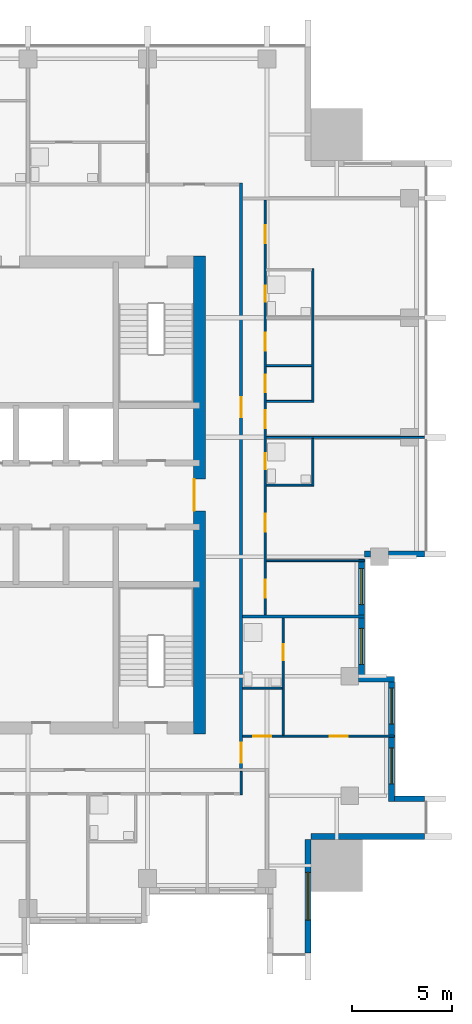
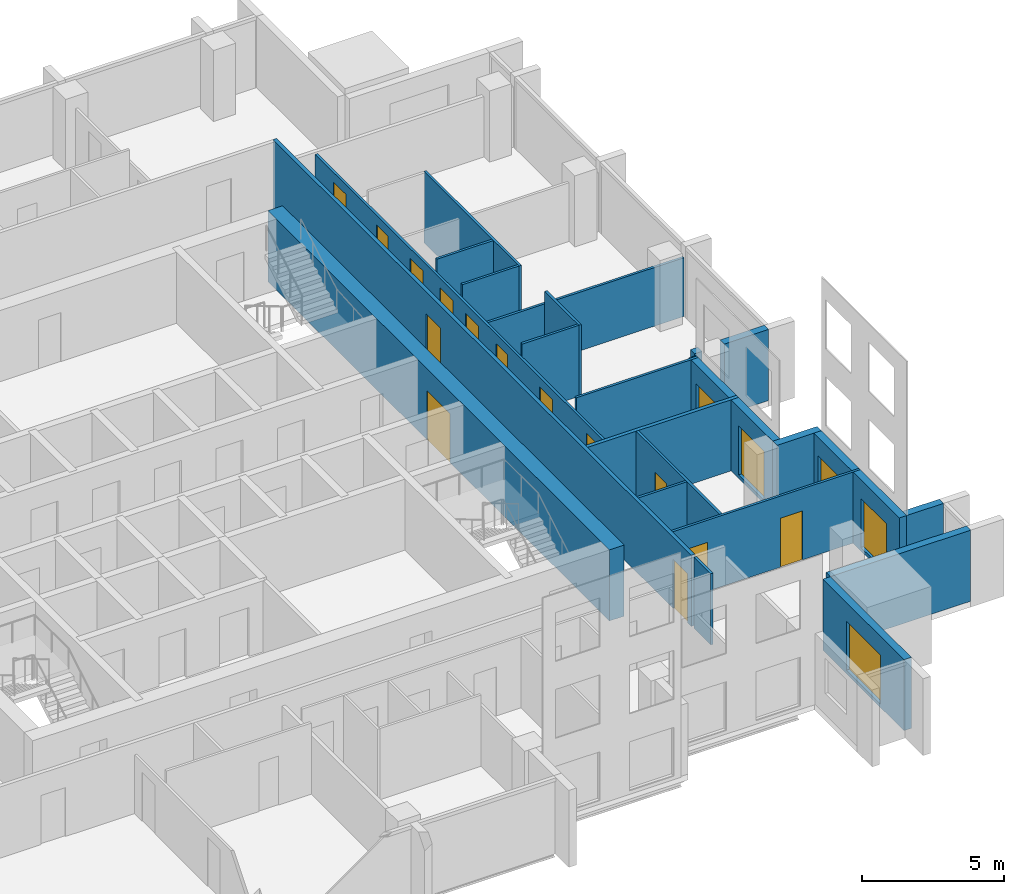
# One storey, part 6 of 11: 23 walls, 14 doors, 5 windows, 19 openings.
"""IFC4 building model written with IfcOpenShell, lengths in metres."""

from ifc_helpers import new_model, si_unit, direction, frame, frame_2d, origin, place, context, subcontext, project, spatial, rectangle, extrude, material, layer, layer_set, type_object, element, fill, save


model = new_model("IFC4")

# Units and contexts
model_context = context("Model", 3, precision=1e-05, world=origin(), true_north=direction((0.0, 1.0)))
body_context = subcontext(model_context, "Body", "Model", "MODEL_VIEW")
ifc_project = project(units=[si_unit("LENGTHUNIT", "METRE"), si_unit("AREAUNIT", "SQUARE_METRE"), si_unit("VOLUMEUNIT", "CUBIC_METRE"), si_unit("PLANEANGLEUNIT", "RADIAN"), si_unit("MASSUNIT", "GRAM", prefix="KILO")], contexts=[model_context])

# Site, building, storey
site_placement = place(None, origin())
site = spatial("IfcSite", under=ifc_project, at=site_placement, CompositionType="ELEMENT")
building_placement = place(site_placement, origin())
building = spatial("IfcBuilding", under=site, at=building_placement, Name="Amberfall Residences", CompositionType="ELEMENT")
storey_placement = place(building_placement, frame((0.0, 0.0, 196.89990234375)))
storey = spatial("IfcBuildingStorey", under=building, at=storey_placement, Name="L52", CompositionType="ELEMENT", Elevation=196.89990234375)

# Wall, opening, window
ifc_material_1 = material(Name="Pale stone cladding on insulated backing", Category="masonry")
ifc_layer_1 = layer(ifc_material_1, 0.300048828125)
ifc_layer_set_1 = layer_set([ifc_layer_1], Name="Bronze clad wall 300")
wall_type_1 = type_object("IfcWallType", Name="Bronze clad wall 300", PredefinedType="SOLIDWALL", material=ifc_layer_set_1)
wall_1_placement = place(storey_placement, frame((91.64990234375, 22.5, 0.0), z_axis=(0.0, 0.0, 1.0), x_axis=(0.0, 1.0, 0.0)))
wall_1 = element("IfcWall", 1, at=wall_1_placement, inside=storey, type_object=wall_type_1, Name="External wall L52 SE", PredefinedType="SOLIDWALL", context=body_context, shape_type="SweptSolid", body=[
    extrude(rectangle(XDim=5.699951171875, YDim=0.300048828125, at=frame_2d((2.85009765625, 0.0))), origin(), (0.0, 0.0, 1.0), 3.050048828125),
])
opening_1_placement = place(wall_1_placement, frame((1.64990234375, 0.0, 0.14990234375)))
opening_1 = element("IfcOpeningElement", 2, at=opening_1_placement, cuts=wall_1, Name="Opening WN5", PredefinedType="OPENING", context=body_context, shape_type="SweptSolid", body=[
    extrude(rectangle(XDim=2.39990234375, YDim=2.10009765625, at=frame_2d((1.199951171875, 1.050048828125))), frame((0.0, 0.159912109375, 0.0), z_axis=(0.0, -1.0, 0.0), x_axis=(1.0, 0.0, 0.0)), (0.0, 0.0, 1.0), 0.320068359375),
])
ifc_material_2 = material(Name="Bronze aluminium framed glazing", Category="aluminium")
window_type_1 = type_object("IfcWindowType", Name="Glazed opening 2400 x 2100 bronze", PartitioningType="DOUBLE_PANEL_VERTICAL", PredefinedType="WINDOW", material=ifc_material_2)
window_1_placement = place(opening_1_placement, origin())
window_1 = element("IfcWindow", 3, at=window_1_placement, inside=storey, type_object=window_type_1, Name="Window L52 SE", OverallHeight=2.10009765625, OverallWidth=2.39990234375, PartitioningType="DOUBLE_PANEL_VERTICAL", PredefinedType="WINDOW", context=body_context, shape_type="SweptSolid", body=[
    extrude(rectangle(XDim=2.39990234375, YDim=2.10009765625, at=frame_2d((1.199951171875, 1.050048828125))), frame((0.0, 0.030029296875, 0.0), z_axis=(0.0, -1.0, 0.0), x_axis=(1.0, 0.0, 0.0)), (0.0, 0.0, 1.0), 0.06005859375),
])
fill(opening_1, window_1)

# Walls
wall_2_placement = place(storey_placement, frame((91.800048828125, 28.35009765625, 0.0), z_axis=(0.0, 0.0, 1.0), x_axis=(1.0, 0.0, 0.0)))
element("IfcWall", 4, at=wall_2_placement, inside=storey, type_object=wall_type_1, Name="External wall L52 SE", PredefinedType="SOLIDWALL", context=body_context, shape_type="SweptSolid", body=[
    extrude(rectangle(XDim=5.699951171875, YDim=0.300048828125, at=frame_2d((2.85009765625, 0.0))), origin(), (0.0, 0.0, 1.0), 3.050048828125),
])
wall_3_placement = place(storey_placement, frame((97.5, 30.25, 0.0), z_axis=(0.0, 0.0, 1.0), x_axis=(-1.0, 0.0, 0.0)))
element("IfcWall", 5, at=wall_3_placement, inside=storey, type_object=wall_type_1, Name="External wall L52 E", PredefinedType="SOLIDWALL", context=body_context, shape_type="SweptSolid", body=[
    extrude(rectangle(XDim=1.5, YDim=0.300048828125, at=frame_2d((0.75, 0.0))), origin(), (0.0, 0.0, 1.0), 3.050048828125),
])
wall_4_placement = place(storey_placement, frame((96.0, 36.25, 0.0), z_axis=(0.0, 0.0, 1.0), x_axis=(-1.0, 0.0, 0.0)))
element("IfcWall", 6, at=wall_4_placement, inside=storey, type_object=wall_type_1, Name="External wall L52 E", PredefinedType="SOLIDWALL", context=body_context, shape_type="SweptSolid", body=[
    extrude(rectangle(XDim=1.800048828125, YDim=0.300048828125, at=frame_2d((0.89990234375, 0.0))), origin(), (0.0, 0.0, 1.0), 3.050048828125),
])
wall_5_placement = place(storey_placement, frame((94.5, 42.550048828125, 0.0), z_axis=(0.0, 0.0, 1.0), x_axis=(1.0, 0.0, 0.0)))
element("IfcWall", 7, at=wall_5_placement, inside=storey, type_object=wall_type_1, Name="External wall L52 E", PredefinedType="SOLIDWALL", context=body_context, shape_type="SweptSolid", body=[
    extrude(rectangle(XDim=0.300048828125, YDim=0.300048828125, at=frame_2d((0.14990234375, 0.0))), origin(), (0.0, 0.0, 1.0), 3.050048828125),
])
wall_6_placement = place(storey_placement, frame((95.699951171875, 42.550048828125, 0.0), z_axis=(0.0, 0.0, 1.0), x_axis=(1.0, 0.0, 0.0)))
element("IfcWall", 8, at=wall_6_placement, inside=storey, type_object=wall_type_1, Name="External wall L52 E", PredefinedType="SOLIDWALL", context=body_context, shape_type="SweptSolid", body=[
    extrude(rectangle(XDim=1.800048828125, YDim=0.300048828125, at=frame_2d((0.89990234375, 0.0))), origin(), (0.0, 0.0, 1.0), 3.050048828125),
])

# Wall, openings, windows
wall_7_placement = place(storey_placement, frame((95.85009765625, 30.10009765625, 0.0), z_axis=(0.0, 0.0, 1.0), x_axis=(0.0, 1.0, 0.0)))
wall_7 = element("IfcWall", 9, at=wall_7_placement, inside=storey, type_object=wall_type_1, Name="Stone wall L52 E", PredefinedType="SOLIDWALL", context=body_context, shape_type="SweptSolid", body=[
    extrude(rectangle(XDim=6.0, YDim=0.300048828125, at=frame_2d((3.0, 0.0))), origin(), (0.0, 0.0, 1.0), 3.050048828125),
])
opening_2_placement = place(wall_7_placement, frame((0.89990234375, 0.0, 0.14990234375)))
opening_2 = element("IfcOpeningElement", 10, at=opening_2_placement, cuts=wall_7, Name="Opening WN6", PredefinedType="OPENING", context=body_context, shape_type="SweptSolid", body=[
    extrude(rectangle(XDim=1.800048828125, YDim=2.10009765625, at=frame_2d((0.89990234375, 1.050048828125))), frame((0.0, 0.159912109375, 0.0), z_axis=(0.0, -1.0, 0.0), x_axis=(1.0, 0.0, 0.0)), (0.0, 0.0, 1.0), 0.320068359375),
])
opening_3_placement = place(wall_7_placement, frame((3.89990234375, 0.0, 0.14990234375)))
opening_3 = element("IfcOpeningElement", 11, at=opening_3_placement, cuts=wall_7, Name="Opening WN6", PredefinedType="OPENING", context=body_context, shape_type="SweptSolid", body=[
    extrude(rectangle(XDim=1.800048828125, YDim=2.10009765625, at=frame_2d((0.89990234375, 1.050048828125))), frame((0.0, 0.159912109375, 0.0), z_axis=(0.0, -1.0, 0.0), x_axis=(1.0, 0.0, 0.0)), (0.0, 0.0, 1.0), 0.320068359375),
])
window_type_2 = type_object("IfcWindowType", Name="Glazed opening 1800 x 2100 bronze", PartitioningType="DOUBLE_PANEL_VERTICAL", PredefinedType="WINDOW", material=ifc_material_2)
window_2_placement = place(opening_2_placement, origin())
window_2 = element("IfcWindow", 12, at=window_2_placement, inside=storey, type_object=window_type_2, Name="Window L52 E", OverallHeight=2.10009765625, OverallWidth=1.800048828125, PartitioningType="DOUBLE_PANEL_VERTICAL", PredefinedType="WINDOW", context=body_context, shape_type="SweptSolid", body=[
    extrude(rectangle(XDim=1.800048828125, YDim=2.10009765625, at=frame_2d((0.89990234375, 1.050048828125))), frame((0.0, 0.030029296875, 0.0), z_axis=(0.0, -1.0, 0.0), x_axis=(1.0, 0.0, 0.0)), (0.0, 0.0, 1.0), 0.06005859375),
])
fill(opening_2, window_2)
window_3_placement = place(opening_3_placement, origin())
window_3 = element("IfcWindow", 13, at=window_3_placement, inside=storey, type_object=window_type_2, Name="Window L52 E", OverallHeight=2.10009765625, OverallWidth=1.800048828125, PartitioningType="DOUBLE_PANEL_VERTICAL", PredefinedType="WINDOW", context=body_context, shape_type="SweptSolid", body=[
    extrude(rectangle(XDim=1.800048828125, YDim=2.10009765625, at=frame_2d((0.89990234375, 1.050048828125))), frame((0.0, 0.030029296875, 0.0), z_axis=(0.0, -1.0, 0.0), x_axis=(1.0, 0.0, 0.0)), (0.0, 0.0, 1.0), 0.06005859375),
])
fill(opening_3, window_3)

wall_8_placement = place(storey_placement, frame((94.35009765625, 36.39990234375, 0.0), z_axis=(0.0, 0.0, 1.0), x_axis=(0.0, 1.0, 0.0)))
wall_8 = element("IfcWall", 14, at=wall_8_placement, inside=storey, type_object=wall_type_1, Name="Stone wall L52 E", PredefinedType="SOLIDWALL", context=body_context, shape_type="SweptSolid", body=[
    extrude(rectangle(XDim=5.900146484375, YDim=0.300048828125, at=frame_2d((2.9501953125, 0.0))), origin(), (0.0, 0.0, 1.0), 3.050048828125),
])
opening_4_placement = place(wall_8_placement, frame((0.60009765625, 0.0, 0.14990234375)))
opening_4 = element("IfcOpeningElement", 15, at=opening_4_placement, cuts=wall_8, Name="Opening WN6", PredefinedType="OPENING", context=body_context, shape_type="SweptSolid", body=[
    extrude(rectangle(XDim=1.800048828125, YDim=2.10009765625, at=frame_2d((0.89990234375, 1.050048828125))), frame((0.0, 0.159912109375, 0.0), z_axis=(0.0, -1.0, 0.0), x_axis=(1.0, 0.0, 0.0)), (0.0, 0.0, 1.0), 0.320068359375),
])
opening_5_placement = place(wall_8_placement, frame((3.60009765625, 0.0, 0.14990234375)))
opening_5 = element("IfcOpeningElement", 16, at=opening_5_placement, cuts=wall_8, Name="Opening WN6", PredefinedType="OPENING", context=body_context, shape_type="SweptSolid", body=[
    extrude(rectangle(XDim=1.800048828125, YDim=2.10009765625, at=frame_2d((0.89990234375, 1.050048828125))), frame((0.0, 0.159912109375, 0.0), z_axis=(0.0, -1.0, 0.0), x_axis=(1.0, 0.0, 0.0)), (0.0, 0.0, 1.0), 0.320068359375),
])
window_4_placement = place(opening_4_placement, origin())
window_4 = element("IfcWindow", 17, at=window_4_placement, inside=storey, type_object=window_type_2, Name="Window L52 E", OverallHeight=2.10009765625, OverallWidth=1.800048828125, PartitioningType="DOUBLE_PANEL_VERTICAL", PredefinedType="WINDOW", context=body_context, shape_type="SweptSolid", body=[
    extrude(rectangle(XDim=1.800048828125, YDim=2.10009765625, at=frame_2d((0.89990234375, 1.050048828125))), frame((0.0, 0.030029296875, 0.0), z_axis=(0.0, -1.0, 0.0), x_axis=(1.0, 0.0, 0.0)), (0.0, 0.0, 1.0), 0.06005859375),
])
fill(opening_4, window_4)
window_5_placement = place(opening_5_placement, origin())
window_5 = element("IfcWindow", 18, at=window_5_placement, inside=storey, type_object=window_type_2, Name="Window L52 E", OverallHeight=2.10009765625, OverallWidth=1.800048828125, PartitioningType="DOUBLE_PANEL_VERTICAL", PredefinedType="WINDOW", context=body_context, shape_type="SweptSolid", body=[
    extrude(rectangle(XDim=1.800048828125, YDim=2.10009765625, at=frame_2d((0.89990234375, 1.050048828125))), frame((0.0, 0.030029296875, 0.0), z_axis=(0.0, -1.0, 0.0), x_axis=(1.0, 0.0, 0.0)), (0.0, 0.0, 1.0), 0.06005859375),
])
fill(opening_5, window_5)

# Wall, opening, door
ifc_material_3 = material(Name="Concrete C55", Category="concrete")
ifc_layer_2 = layer(ifc_material_3, 0.60009765625)
ifc_layer_set_2 = layer_set([ifc_layer_2], Name="Core wall 600 C55")
wall_type_2 = type_object("IfcWallType", Name="Core wall 600 C55", PredefinedType="SHEAR", material=ifc_layer_set_2)
wall_9_placement = place(storey_placement, frame((86.199951171875, 33.5, 0.0), z_axis=(0.0, 0.0, 1.0), x_axis=(0.0, 1.0, 0.0)))
wall_9 = element("IfcWall", 19, at=wall_9_placement, inside=storey, type_object=wall_type_2, Name="Core wall RW7 L52 OE", PredefinedType="SHEAR", context=body_context, shape_type="SweptSolid", body=[
    extrude(rectangle(XDim=24.0, YDim=0.60009765625, at=frame_2d((12.0, 0.0))), origin(), (0.0, 0.0, 1.0), 3.050048828125),
])
opening_6_placement = place(wall_9_placement, frame((11.199951171875, 0.0, 0.0)))
opening_6 = element("IfcOpeningElement", 20, at=opening_6_placement, cuts=wall_9, Name="Opening LB1", PredefinedType="OPENING", context=body_context, shape_type="SweptSolid", body=[
    extrude(rectangle(XDim=1.60009765625, YDim=2.10009765625, at=frame_2d((0.800048828125, 1.050048828125))), frame((0.0, 0.31005859375, 0.0), z_axis=(0.0, -1.0, 0.0), x_axis=(1.0, 0.0, 0.0)), (0.0, 0.0, 1.0), 0.6201171875),
])
ifc_material_4 = material(Name="Steel fire door set", Category="steel")
door_type_1 = type_object("IfcDoorType", Name="Lift lobby double door 1600 x 2100", OperationType="DOUBLE_DOOR_SINGLE_SWING", PredefinedType="DOOR", material=ifc_material_4)
door_1_placement = place(opening_6_placement, origin())
door_1 = element("IfcDoor", 21, at=door_1_placement, inside=storey, type_object=door_type_1, Name="LB1 L52", OperationType="DOUBLE_DOOR_SINGLE_SWING", OverallHeight=2.10009765625, OverallWidth=1.60009765625, PredefinedType="DOOR", context=body_context, shape_type="SweptSolid", body=[
    extrude(rectangle(XDim=1.60009765625, YDim=2.10009765625, at=frame_2d((0.800048828125, 1.050048828125))), frame((0.0, 0.28759765625, 0.0), z_axis=(0.0, -1.0, 0.0), x_axis=(1.0, 0.0, 0.0)), (0.0, 0.0, 1.0), 0.050048828125),
])
fill(opening_6, door_1)

# Wall
ifc_material_5 = material(Name="Gypsum board on metal stud")
ifc_layer_3 = layer(ifc_material_5, 0.10009765625)
ifc_layer_set_3 = layer_set([ifc_layer_3], Name="Flat partition 100")
wall_type_3 = type_object("IfcWallType", Name="Flat partition 100", PredefinedType="PARTITIONING", material=ifc_layer_set_3)
wall_10_placement = place(storey_placement, frame((88.300048828125, 30.449951171875, 0.0), z_axis=(0.0, 0.0, 1.0), x_axis=(0.0, 1.0, 0.0)))
element("IfcWall", 22, at=wall_10_placement, inside=storey, type_object=wall_type_3, Name="Partition 020", PredefinedType="PARTITIONING", context=body_context, shape_type="SweptSolid", body=[
    extrude(rectangle(XDim=1.175048828125, YDim=0.10009765625, at=frame_2d((0.58740234375, 0.0))), origin(), (0.0, 0.0, 1.0), 3.050048828125),
])

# Wall, openings, doors
wall_11_placement = place(storey_placement, frame((89.5, 60.324951171875, 0.0), z_axis=(0.0, 0.0, 1.0), x_axis=(0.0, -1.0, 0.0)))
wall_11 = element("IfcWall", 23, at=wall_11_placement, inside=storey, type_object=wall_type_3, Name="Partition 021", PredefinedType="PARTITIONING", context=body_context, shape_type="SweptSolid", body=[
    extrude(rectangle(XDim=20.849853515625, YDim=0.10009765625, at=frame_2d((10.4248046875, 0.0))), origin(), (0.0, 0.0, 1.0), 2.510009765625),
])
opening_7_placement = place(wall_11_placement, frame((10.574951171875, 0.0, 0.0)))
opening_7 = element("IfcOpeningElement", 24, at=opening_7_placement, cuts=wall_11, Name="Opening D41", PredefinedType="OPENING", context=body_context, shape_type="SweptSolid", body=[
    extrude(rectangle(XDim=0.89990234375, YDim=2.10009765625, at=frame_2d((0.449951171875, 1.050048828125))), frame((0.0, 0.06005859375, 0.0), z_axis=(0.0, -1.0, 0.0), x_axis=(1.0, 0.0, 0.0)), (0.0, 0.0, 1.0), 0.1201171875),
])
opening_8_placement = place(wall_11_placement, frame((6.675048828125, 0.0, 0.0)))
opening_8 = element("IfcOpeningElement", 25, at=opening_8_placement, cuts=wall_11, Name="Opening D41", PredefinedType="OPENING", context=body_context, shape_type="SweptSolid", body=[
    extrude(rectangle(XDim=0.89990234375, YDim=2.10009765625, at=frame_2d((0.449951171875, 1.050048828125))), frame((0.0, 0.06005859375, 0.0), z_axis=(0.0, -1.0, 0.0), x_axis=(1.0, 0.0, 0.0)), (0.0, 0.0, 1.0), 0.1201171875),
])
opening_9_placement = place(wall_11_placement, frame((8.77490234375, 0.0, 0.0)))
opening_9 = element("IfcOpeningElement", 26, at=opening_9_placement, cuts=wall_11, Name="Opening D41", PredefinedType="OPENING", context=body_context, shape_type="SweptSolid", body=[
    extrude(rectangle(XDim=0.89990234375, YDim=2.10009765625, at=frame_2d((0.449951171875, 1.050048828125))), frame((0.0, 0.06005859375, 0.0), z_axis=(0.0, -1.0, 0.0), x_axis=(1.0, 0.0, 0.0)), (0.0, 0.0, 1.0), 0.1201171875),
])
opening_10_placement = place(wall_11_placement, frame((19.074951171875, 0.0, 0.0)))
opening_10 = element("IfcOpeningElement", 27, at=opening_10_placement, cuts=wall_11, Name="Opening D41", PredefinedType="OPENING", context=body_context, shape_type="SweptSolid", body=[
    extrude(rectangle(XDim=0.89990234375, YDim=2.10009765625, at=frame_2d((0.449951171875, 1.050048828125))), frame((0.0, 0.06005859375, 0.0), z_axis=(0.0, -1.0, 0.0), x_axis=(1.0, 0.0, 0.0)), (0.0, 0.0, 1.0), 0.1201171875),
])
opening_11_placement = place(wall_11_placement, frame((15.77490234375, 0.0, 0.0)))
opening_11 = element("IfcOpeningElement", 28, at=opening_11_placement, cuts=wall_11, Name="Opening D41", PredefinedType="OPENING", context=body_context, shape_type="SweptSolid", body=[
    extrude(rectangle(XDim=0.89990234375, YDim=2.10009765625, at=frame_2d((0.449951171875, 1.050048828125))), frame((0.0, 0.06005859375, 0.0), z_axis=(0.0, -1.0, 0.0), x_axis=(1.0, 0.0, 0.0)), (0.0, 0.0, 1.0), 0.1201171875),
])
opening_12_placement = place(wall_11_placement, frame((1.27490234375, 0.0, 0.0)))
opening_12 = element("IfcOpeningElement", 29, at=opening_12_placement, cuts=wall_11, Name="Opening D41", PredefinedType="OPENING", context=body_context, shape_type="SweptSolid", body=[
    extrude(rectangle(XDim=0.89990234375, YDim=2.10009765625, at=frame_2d((0.449951171875, 1.050048828125))), frame((0.0, 0.06005859375, 0.0), z_axis=(0.0, -1.0, 0.0), x_axis=(1.0, 0.0, 0.0)), (0.0, 0.0, 1.0), 0.1201171875),
])
opening_13_placement = place(wall_11_placement, frame((12.72509765625, 0.0, 0.0)))
opening_13 = element("IfcOpeningElement", 30, at=opening_13_placement, cuts=wall_11, Name="Opening D42", PredefinedType="OPENING", context=body_context, shape_type="SweptSolid", body=[
    extrude(rectangle(XDim=0.800048828125, YDim=2.10009765625, at=frame_2d((0.39990234375, 1.050048828125))), frame((0.0, 0.06005859375, 0.0), z_axis=(0.0, -1.0, 0.0), x_axis=(1.0, 0.0, 0.0)), (0.0, 0.0, 1.0), 0.1201171875),
])
opening_14_placement = place(wall_11_placement, frame((4.324951171875, 0.0, 0.0)))
opening_14 = element("IfcOpeningElement", 31, at=opening_14_placement, cuts=wall_11, Name="Opening D42", PredefinedType="OPENING", context=body_context, shape_type="SweptSolid", body=[
    extrude(rectangle(XDim=0.800048828125, YDim=2.10009765625, at=frame_2d((0.39990234375, 1.050048828125))), frame((0.0, 0.06005859375, 0.0), z_axis=(0.0, -1.0, 0.0), x_axis=(1.0, 0.0, 0.0)), (0.0, 0.0, 1.0), 0.1201171875),
])
ifc_material_6 = material(Name="Timber", Category="wood")
door_type_2 = type_object("IfcDoorType", Name="Bathroom door 800 x 2100", OperationType="SINGLE_SWING_LEFT", PredefinedType="DOOR", material=ifc_material_6)
door_2_placement = place(opening_13_placement, origin())
door_2 = element("IfcDoor", 32, at=door_2_placement, inside=storey, type_object=door_type_2, Name="Door 5204 bath1", OperationType="SINGLE_SWING_LEFT", OverallHeight=2.10009765625, OverallWidth=0.800048828125, PredefinedType="DOOR", context=body_context, shape_type="SweptSolid", body=[
    extrude(rectangle(XDim=0.800048828125, YDim=2.10009765625, at=frame_2d((0.39990234375, 1.050048828125))), frame((0.0, 0.02490234375, 0.0), z_axis=(0.0, -1.0, 0.0), x_axis=(1.0, 0.0, 0.0)), (0.0, 0.0, 1.0), 0.050048828125),
])
fill(opening_13, door_2)
door_3_placement = place(opening_14_placement, origin())
door_3 = element("IfcDoor", 33, at=door_3_placement, inside=storey, type_object=door_type_2, Name="Door 5204 bath2", OperationType="SINGLE_SWING_LEFT", OverallHeight=2.10009765625, OverallWidth=0.800048828125, PredefinedType="DOOR", context=body_context, shape_type="SweptSolid", body=[
    extrude(rectangle(XDim=0.800048828125, YDim=2.10009765625, at=frame_2d((0.39990234375, 1.050048828125))), frame((0.0, 0.02490234375, 0.0), z_axis=(0.0, -1.0, 0.0), x_axis=(1.0, 0.0, 0.0)), (0.0, 0.0, 1.0), 0.050048828125),
])
fill(opening_14, door_3)
door_type_3 = type_object("IfcDoorType", Name="Internal door 900 x 2100", OperationType="SINGLE_SWING_LEFT", PredefinedType="DOOR", material=ifc_material_6)
door_4_placement = place(opening_7_placement, origin())
door_4 = element("IfcDoor", 34, at=door_4_placement, inside=storey, type_object=door_type_3, Name="Door 5204 living", OperationType="SINGLE_SWING_LEFT", OverallHeight=2.10009765625, OverallWidth=0.89990234375, PredefinedType="DOOR", context=body_context, shape_type="SweptSolid", body=[
    extrude(rectangle(XDim=0.89990234375, YDim=2.10009765625, at=frame_2d((0.449951171875, 1.050048828125))), frame((0.0, 0.02490234375, 0.0), z_axis=(0.0, -1.0, 0.0), x_axis=(1.0, 0.0, 0.0)), (0.0, 0.0, 1.0), 0.050048828125),
])
fill(opening_7, door_4)
door_5_placement = place(opening_8_placement, origin())
door_5 = element("IfcDoor", 35, at=door_5_placement, inside=storey, type_object=door_type_3, Name="Door 5204 kitchen", OperationType="SINGLE_SWING_LEFT", OverallHeight=2.10009765625, OverallWidth=0.89990234375, PredefinedType="DOOR", context=body_context, shape_type="SweptSolid", body=[
    extrude(rectangle(XDim=0.89990234375, YDim=2.10009765625, at=frame_2d((0.449951171875, 1.050048828125))), frame((0.0, 0.02490234375, 0.0), z_axis=(0.0, -1.0, 0.0), x_axis=(1.0, 0.0, 0.0)), (0.0, 0.0, 1.0), 0.050048828125),
])
fill(opening_8, door_5)
door_6_placement = place(opening_9_placement, origin())
door_6 = element("IfcDoor", 36, at=door_6_placement, inside=storey, type_object=door_type_3, Name="Door 5204 utility", OperationType="SINGLE_SWING_LEFT", OverallHeight=2.10009765625, OverallWidth=0.89990234375, PredefinedType="DOOR", context=body_context, shape_type="SweptSolid", body=[
    extrude(rectangle(XDim=0.89990234375, YDim=2.10009765625, at=frame_2d((0.449951171875, 1.050048828125))), frame((0.0, 0.02490234375, 0.0), z_axis=(0.0, -1.0, 0.0), x_axis=(1.0, 0.0, 0.0)), (0.0, 0.0, 1.0), 0.050048828125),
])
fill(opening_9, door_6)
door_7_placement = place(opening_10_placement, origin())
door_7 = element("IfcDoor", 37, at=door_7_placement, inside=storey, type_object=door_type_3, Name="Door 5204 bedroom1", OperationType="SINGLE_SWING_LEFT", OverallHeight=2.10009765625, OverallWidth=0.89990234375, PredefinedType="DOOR", context=body_context, shape_type="SweptSolid", body=[
    extrude(rectangle(XDim=0.89990234375, YDim=2.10009765625, at=frame_2d((0.449951171875, 1.050048828125))), frame((0.0, 0.02490234375, 0.0), z_axis=(0.0, -1.0, 0.0), x_axis=(1.0, 0.0, 0.0)), (0.0, 0.0, 1.0), 0.050048828125),
])
fill(opening_10, door_7)
door_8_placement = place(opening_11_placement, origin())
door_8 = element("IfcDoor", 38, at=door_8_placement, inside=storey, type_object=door_type_3, Name="Door 5204 bedroom2", OperationType="SINGLE_SWING_LEFT", OverallHeight=2.10009765625, OverallWidth=0.89990234375, PredefinedType="DOOR", context=body_context, shape_type="SweptSolid", body=[
    extrude(rectangle(XDim=0.89990234375, YDim=2.10009765625, at=frame_2d((0.449951171875, 1.050048828125))), frame((0.0, 0.02490234375, 0.0), z_axis=(0.0, -1.0, 0.0), x_axis=(1.0, 0.0, 0.0)), (0.0, 0.0, 1.0), 0.050048828125),
])
fill(opening_11, door_8)
door_9_placement = place(opening_12_placement, origin())
door_9 = element("IfcDoor", 39, at=door_9_placement, inside=storey, type_object=door_type_3, Name="Door 5204 bedroom3", OperationType="SINGLE_SWING_LEFT", OverallHeight=2.10009765625, OverallWidth=0.89990234375, PredefinedType="DOOR", context=body_context, shape_type="SweptSolid", body=[
    extrude(rectangle(XDim=0.89990234375, YDim=2.10009765625, at=frame_2d((0.449951171875, 1.050048828125))), frame((0.0, 0.02490234375, 0.0), z_axis=(0.0, -1.0, 0.0), x_axis=(1.0, 0.0, 0.0)), (0.0, 0.0, 1.0), 0.050048828125),
])
fill(opening_12, door_9)

# Wall, opening, door
wall_12_placement = place(storey_placement, frame((90.39990234375, 33.449951171875, 0.0), z_axis=(0.0, 0.0, 1.0), x_axis=(0.0, 1.0, 0.0)))
wall_12 = element("IfcWall", 40, at=wall_12_placement, inside=storey, type_object=wall_type_3, Name="Partition 022", PredefinedType="PARTITIONING", context=body_context, shape_type="SweptSolid", body=[
    extrude(rectangle(XDim=5.875, YDim=0.10009765625, at=frame_2d((2.9375, 0.0))), origin(), (0.0, 0.0, 1.0), 3.050048828125),
])
opening_15_placement = place(wall_12_placement, frame((3.75, 0.0, 0.0)))
opening_15 = element("IfcOpeningElement", 41, at=opening_15_placement, cuts=wall_12, Name="Opening D42", PredefinedType="OPENING", context=body_context, shape_type="SweptSolid", body=[
    extrude(rectangle(XDim=0.800048828125, YDim=2.10009765625, at=frame_2d((0.39990234375, 1.050048828125))), frame((0.0, 0.06005859375, 0.0), z_axis=(0.0, -1.0, 0.0), x_axis=(1.0, 0.0, 0.0)), (0.0, 0.0, 1.0), 0.1201171875),
])
door_10_placement = place(opening_15_placement, origin())
door_10 = element("IfcDoor", 42, at=door_10_placement, inside=storey, type_object=door_type_2, Name="Door 5203 bath1", OperationType="SINGLE_SWING_LEFT", OverallHeight=2.10009765625, OverallWidth=0.800048828125, PredefinedType="DOOR", context=body_context, shape_type="SweptSolid", body=[
    extrude(rectangle(XDim=0.800048828125, YDim=2.10009765625, at=frame_2d((0.39990234375, 1.050048828125))), frame((0.0, 0.02490234375, 0.0), z_axis=(0.0, -1.0, 0.0), x_axis=(1.0, 0.0, 0.0)), (0.0, 0.0, 1.0), 0.050048828125),
])
fill(opening_15, door_10)

# Walls
wall_13_placement = place(storey_placement, frame((91.89990234375, 45.949951171875, 0.0), z_axis=(0.0, 0.0, 1.0), x_axis=(0.0, 1.0, 0.0)))
element("IfcWall", 43, at=wall_13_placement, inside=storey, type_object=wall_type_3, Name="Partition 023", PredefinedType="PARTITIONING", context=body_context, shape_type="SweptSolid", body=[
    extrude(rectangle(XDim=2.400146484375, YDim=0.10009765625, at=frame_2d((1.2001953125, 0.0))), origin(), (0.0, 0.0, 1.0), 3.050048828125),
])
wall_14_placement = place(storey_placement, frame((91.89990234375, 50.14990234375, 0.0), z_axis=(0.0, 0.0, 1.0), x_axis=(0.0, 1.0, 0.0)))
element("IfcWall", 44, at=wall_14_placement, inside=storey, type_object=wall_type_3, Name="Partition 024", PredefinedType="PARTITIONING", context=body_context, shape_type="SweptSolid", body=[
    extrude(rectangle(XDim=6.7001953125, YDim=0.10009765625, at=frame_2d((3.35009765625, 0.0))), origin(), (0.0, 0.0, 1.0), 3.050048828125),
])
for number, where, z_axis, x_axis, name in (
    (45, (89.550048828125, 52.0, 0.0), (0.0, 0.0, 1.0), (1.0, 0.0, 0.0), "Partition 033"),
    (46, (89.550048828125, 50.199951171875, 0.0), (0.0, 0.0, 1.0), (1.0, 0.0, 0.0), "Partition 034"),
):
    element("IfcWall", number, at=place(storey_placement, frame(where, z_axis=z_axis, x_axis=x_axis)), inside=storey, type_object=wall_type_3, Name=name, PredefinedType="PARTITIONING", context=body_context, shape_type="SweptSolid", body=[
        extrude(rectangle(XDim=2.300048828125, YDim=0.10009765625, at=frame_2d((1.14990234375, 0.0))), origin(), (0.0, 0.0, 1.0), 3.050048828125),
    ])
wall_15_placement = place(storey_placement, frame((89.550048828125, 48.39990234375, 0.0), z_axis=(0.0, 0.0, 1.0), x_axis=(1.0, 0.0, 0.0)))
element("IfcWall", 47, at=wall_15_placement, inside=storey, type_object=wall_type_3, Name="Partition 035", PredefinedType="PARTITIONING", context=body_context, shape_type="SweptSolid", body=[
    extrude(rectangle(XDim=7.949951171875, YDim=0.10009765625, at=frame_2d((3.97509765625, 0.0))), origin(), (0.0, 0.0, 1.0), 2.51611328125),
])
wall_16_placement = place(storey_placement, frame((89.550048828125, 46.0, 0.0), z_axis=(0.0, 0.0, 1.0), x_axis=(1.0, 0.0, 0.0)))
element("IfcWall", 48, at=wall_16_placement, inside=storey, type_object=wall_type_3, Name="Partition 036", PredefinedType="PARTITIONING", context=body_context, shape_type="SweptSolid", body=[
    extrude(rectangle(XDim=2.300048828125, YDim=0.10009765625, at=frame_2d((1.14990234375, 0.0))), origin(), (0.0, 0.0, 1.0), 3.050048828125),
])
wall_17_placement = place(storey_placement, frame((89.550048828125, 42.199951171875, 0.0), z_axis=(0.0, 0.0, 1.0), x_axis=(1.0, 0.0, 0.0)))
element("IfcWall", 49, at=wall_17_placement, inside=storey, type_object=wall_type_3, Name="Partition 039", PredefinedType="PARTITIONING", context=body_context, shape_type="SweptSolid", body=[
    extrude(rectangle(XDim=4.949951171875, YDim=0.10009765625, at=frame_2d((2.47509765625, 0.0))), origin(), (0.0, 0.0, 1.0), 3.050048828125),
])
wall_18_placement = place(storey_placement, frame((88.375, 35.800048828125, 0.0), z_axis=(0.0, 0.0, 1.0), x_axis=(1.0, 0.0, 0.0)))
element("IfcWall", 50, at=wall_18_placement, inside=storey, type_object=wall_type_3, Name="Partition 042", PredefinedType="PARTITIONING", context=body_context, shape_type="SweptSolid", body=[
    extrude(rectangle(XDim=1.97509765625, YDim=0.10009765625, at=frame_2d((0.987548828125, 0.0))), origin(), (0.0, 0.0, 1.0), 3.050048828125),
])

# Wall, openings, doors
wall_19_placement = place(storey_placement, frame((88.375, 33.39990234375, 0.0), z_axis=(0.0, 0.0, 1.0), x_axis=(1.0, 0.0, 0.0)))
wall_19 = element("IfcWall", 51, at=wall_19_placement, inside=storey, type_object=wall_type_3, Name="Partition 043", PredefinedType="PARTITIONING", context=body_context, shape_type="SweptSolid", body=[
    extrude(rectangle(XDim=7.625, YDim=0.10009765625, at=frame_2d((3.8125, 0.0))), origin(), (0.0, 0.0, 1.0), 3.050048828125),
])
opening_16_placement = place(wall_19_placement, frame((0.52490234375, 0.0, 0.0)))
opening_16 = element("IfcOpeningElement", 52, at=opening_16_placement, cuts=wall_19, Name="Opening D41", PredefinedType="OPENING", context=body_context, shape_type="SweptSolid", body=[
    extrude(rectangle(XDim=0.89990234375, YDim=2.10009765625, at=frame_2d((0.449951171875, 1.050048828125))), frame((0.0, 0.06005859375, 0.0), z_axis=(0.0, -1.0, 0.0), x_axis=(1.0, 0.0, 0.0)), (0.0, 0.0, 1.0), 0.1201171875),
])
opening_17_placement = place(wall_19_placement, frame((4.375, 0.0, 0.0)))
opening_17 = element("IfcOpeningElement", 53, at=opening_17_placement, cuts=wall_19, Name="Opening D41", PredefinedType="OPENING", context=body_context, shape_type="SweptSolid", body=[
    extrude(rectangle(XDim=0.89990234375, YDim=2.10009765625, at=frame_2d((0.449951171875, 1.050048828125))), frame((0.0, 0.06005859375, 0.0), z_axis=(0.0, -1.0, 0.0), x_axis=(1.0, 0.0, 0.0)), (0.0, 0.0, 1.0), 0.1201171875),
])
door_11_placement = place(opening_16_placement, origin())
door_11 = element("IfcDoor", 54, at=door_11_placement, inside=storey, type_object=door_type_3, Name="Door 5203 kitchen", OperationType="SINGLE_SWING_LEFT", OverallHeight=2.10009765625, OverallWidth=0.89990234375, PredefinedType="DOOR", context=body_context, shape_type="SweptSolid", body=[
    extrude(rectangle(XDim=0.89990234375, YDim=2.10009765625, at=frame_2d((0.449951171875, 1.050048828125))), frame((0.0, 0.02490234375, 0.0), z_axis=(0.0, -1.0, 0.0), x_axis=(1.0, 0.0, 0.0)), (0.0, 0.0, 1.0), 0.050048828125),
])
fill(opening_16, door_11)
door_12_placement = place(opening_17_placement, origin())
door_12 = element("IfcDoor", 55, at=door_12_placement, inside=storey, type_object=door_type_3, Name="Door 5203 bedroom1", OperationType="SINGLE_SWING_LEFT", OverallHeight=2.10009765625, OverallWidth=0.89990234375, PredefinedType="DOOR", context=body_context, shape_type="SweptSolid", body=[
    extrude(rectangle(XDim=0.89990234375, YDim=2.10009765625, at=frame_2d((0.449951171875, 1.050048828125))), frame((0.0, 0.02490234375, 0.0), z_axis=(0.0, -1.0, 0.0), x_axis=(1.0, 0.0, 0.0)), (0.0, 0.0, 1.0), 0.050048828125),
])
fill(opening_17, door_12)

ifc_material_7 = material(Name="Blockwork, plastered", Category="masonry")
ifc_layer_4 = layer(ifc_material_7, 0.14990234375)
ifc_layer_set_4 = layer_set([ifc_layer_4], Name="Flat separating wall 150")
wall_type_4 = type_object("IfcWallType", Name="Flat separating wall 150", PredefinedType="PARTITIONING", material=ifc_layer_set_4)
wall_20_placement = place(storey_placement, frame((88.300048828125, 61.175048828125, 0.0), z_axis=(0.0, 0.0, 1.0), x_axis=(0.0, -1.0, 0.0)))
wall_20 = element("IfcWall", 56, at=wall_20_placement, inside=storey, type_object=wall_type_4, Name="Separating wall 053", PredefinedType="PARTITIONING", context=body_context, shape_type="SweptSolid", body=[
    extrude(rectangle(XDim=29.400146484375, YDim=0.14990234375, at=frame_2d((14.7001953125, 0.0))), origin(), (0.0, 0.0, 1.0), 3.050048828125),
])
opening_18_placement = place(wall_20_placement, frame((28.125, 0.0, 0.0)))
opening_18 = element("IfcOpeningElement", 57, at=opening_18_placement, cuts=wall_20, Name="Opening D40", PredefinedType="OPENING", context=body_context, shape_type="SweptSolid", body=[
    extrude(rectangle(XDim=1.0, YDim=2.10009765625, at=frame_2d((0.5, 1.050048828125))), frame((0.0, 0.0849609375, 0.0), z_axis=(0.0, -1.0, 0.0), x_axis=(1.0, 0.0, 0.0)), (0.0, 0.0, 1.0), 0.169921875),
])
opening_19_placement = place(wall_20_placement, frame((10.77490234375, 0.0, 0.0)))
opening_19 = element("IfcOpeningElement", 58, at=opening_19_placement, cuts=wall_20, Name="Opening D40", PredefinedType="OPENING", context=body_context, shape_type="SweptSolid", body=[
    extrude(rectangle(XDim=1.0, YDim=2.10009765625, at=frame_2d((0.5, 1.050048828125))), frame((0.0, 0.0849609375, 0.0), z_axis=(0.0, -1.0, 0.0), x_axis=(1.0, 0.0, 0.0)), (0.0, 0.0, 1.0), 0.169921875),
])
ifc_material_8 = material(Name="Timber, fire-rated", Category="wood")
door_type_4 = type_object("IfcDoorType", Name="Flat entrance door FD60 1000 x 2100", OperationType="SINGLE_SWING_LEFT", PredefinedType="DOOR", material=ifc_material_8)
door_13_placement = place(opening_18_placement, origin())
door_13 = element("IfcDoor", 59, at=door_13_placement, inside=storey, type_object=door_type_4, Name="Door 5203 entrance", OperationType="SINGLE_SWING_LEFT", OverallHeight=2.10009765625, OverallWidth=1.0, PredefinedType="DOOR", context=body_context, shape_type="SweptSolid", body=[
    extrude(rectangle(XDim=1.0, YDim=2.10009765625, at=frame_2d((0.5, 1.050048828125))), frame((0.0, 0.02490234375, 0.0), z_axis=(0.0, -1.0, 0.0), x_axis=(1.0, 0.0, 0.0)), (0.0, 0.0, 1.0), 0.050048828125),
])
fill(opening_18, door_13)
door_14_placement = place(opening_19_placement, origin())
door_14 = element("IfcDoor", 60, at=door_14_placement, inside=storey, type_object=door_type_4, Name="Door 5204 entrance", OperationType="SINGLE_SWING_LEFT", OverallHeight=2.10009765625, OverallWidth=1.0, PredefinedType="DOOR", context=body_context, shape_type="SweptSolid", body=[
    extrude(rectangle(XDim=1.0, YDim=2.10009765625, at=frame_2d((0.5, 1.050048828125))), frame((0.0, 0.02490234375, 0.0), z_axis=(0.0, -1.0, 0.0), x_axis=(1.0, 0.0, 0.0)), (0.0, 0.0, 1.0), 0.050048828125),
])
fill(opening_19, door_14)

# Wall
wall_21_placement = place(storey_placement, frame((88.375, 39.39990234375, 0.0), z_axis=(0.0, 0.0, 1.0), x_axis=(1.0, 0.0, 0.0)))
element("IfcWall", 61, at=wall_21_placement, inside=storey, type_object=wall_type_4, Name="Separating wall 058", PredefinedType="PARTITIONING", context=body_context, shape_type="SweptSolid", body=[
    extrude(rectangle(XDim=6.125, YDim=0.14990234375, at=frame_2d((3.0625, 0.0))), origin(), (0.0, 0.0, 1.0), 3.050048828125),
])

save(model, "model.ifc")
